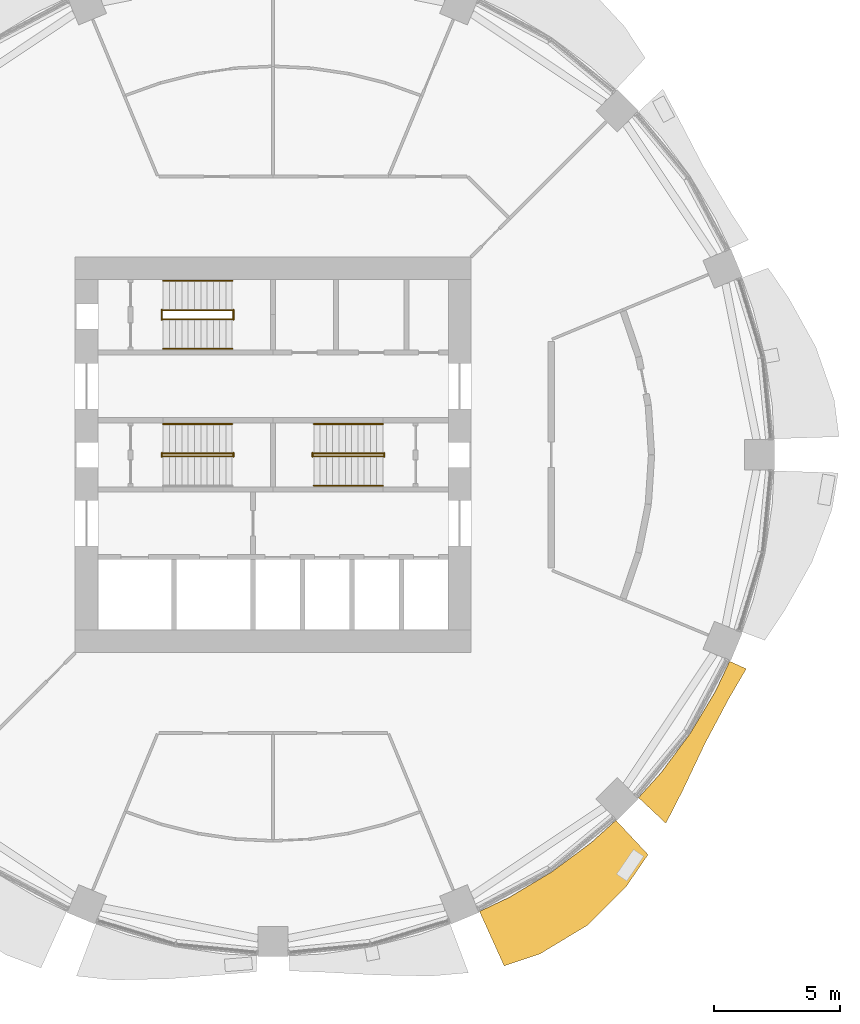
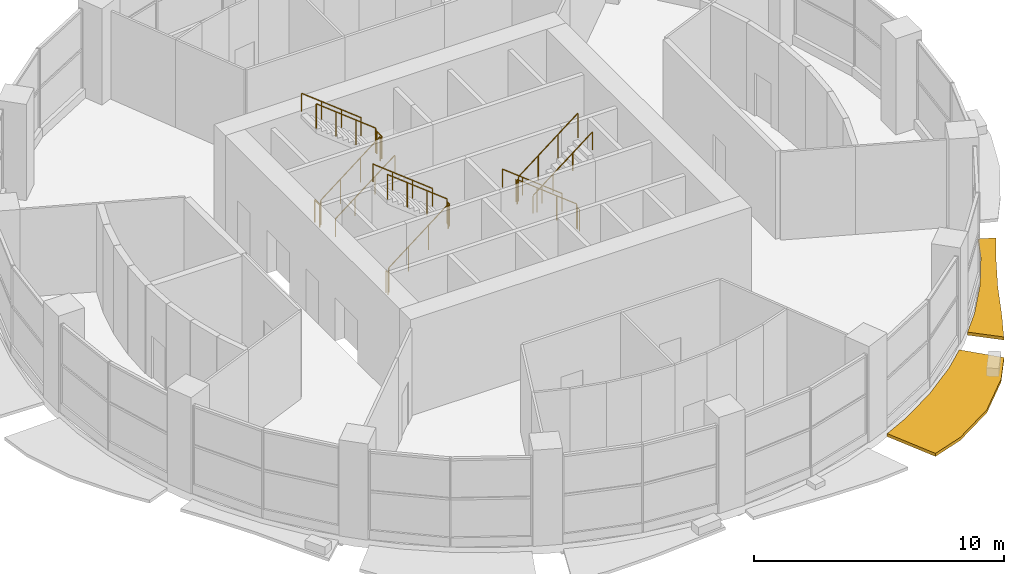
# One storey, part 12 of 14: 17 railings, 2 shading devices.
"""IFC4 building model written with IfcOpenShell, lengths in metres."""

from ifc_helpers import new_model, si_unit, direction, frame, origin, origin_2d, place, context, subcontext, project, spatial, polyline, circle, outline, extrude, material, type_object, element, save


model = new_model("IFC4")

# Units and contexts
model_context = context("Model", 3, precision=1e-05, world=origin(), true_north=direction((0.0, 1.0)))
body_context = subcontext(model_context, "Body", "Model", "MODEL_VIEW")
ifc_project = project(units=[si_unit("LENGTHUNIT", "METRE"), si_unit("AREAUNIT", "SQUARE_METRE"), si_unit("VOLUMEUNIT", "CUBIC_METRE"), si_unit("PLANEANGLEUNIT", "RADIAN"), si_unit("MASSUNIT", "GRAM", prefix="KILO")], contexts=[model_context])

# Site, building, storey
site_placement = place(None, origin())
site = spatial("IfcSite", under=ifc_project, at=site_placement, CompositionType="ELEMENT")
building_placement = place(site_placement, origin())
building = spatial("IfcBuilding", under=site, at=building_placement, Name="Polderwave Tower", CompositionType="ELEMENT")
storey_placement = place(building_placement, frame((0.0, 0.0, 5.199951171875)))
storey = spatial("IfcBuildingStorey", under=building, at=storey_placement, Name="L01", CompositionType="ELEMENT", Elevation=5.199951171875)

# Railings
ifc_material_1 = material(Name="Stainless steel", Category="steel")
railing_type_1 = type_object("IfcRailingType", Name="Stair guard 1100", PredefinedType="GUARDRAIL", material=ifc_material_1)
railing_1_placement = place(storey_placement, frame((-4.3740234375, -0.051025390625, 0.07568359375)))
element("IfcRailing", 1, at=railing_1_placement, inside=storey, type_object=railing_type_1, Name="L01 ST-A stair guard 1", PredefinedType="GUARDRAIL", context=body_context, shape_type="SweptSolid", body=[
    extrude(circle(Radius=0.02392578125, at=origin_2d()), frame((0.0, 0.0, 1.1962890625), z_axis=(0.787209958781, 0.0, 0.616685074244), x_axis=(0.0, 1.0, 0.0)), (0.0, 0.0, 1.0), 3.493408203125),
    extrude(circle(Radius=0.02392578125, at=origin_2d()), origin(), (0.0, 0.0, 1.0), 1.172119140625),
    extrude(circle(Radius=0.02392578125, at=origin_2d()), frame((0.916748046875, 0.0, 0.718017578125)), (0.0, 0.0, 1.0), 1.172119140625),
    extrude(circle(Radius=0.02392578125, at=origin_2d()), frame((1.833251953125, 0.0, 1.436279296875)), (0.0, 0.0, 1.0), 1.172119140625),
    extrude(circle(Radius=0.02392578125, at=origin_2d()), frame((2.75, 0.0, 2.154296875)), (0.0, 0.0, 1.0), 1.172119140625),
])
railing_2_placement = place(storey_placement, frame((-1.573974609375, -0.074951171875, 2.35009765625)))
element("IfcRailing", 2, at=railing_2_placement, inside=storey, type_object=railing_type_1, Name="L01 ST-A stair guard 2", PredefinedType="GUARDRAIL", context=body_context, shape_type="SweptSolid", body=[
    extrude(circle(Radius=0.02392578125, at=origin_2d()), frame((0.0, 0.0, 1.076171875), z_axis=(0.0, 1.0, 0.0), x_axis=(-1.0, 0.0, 0.0)), (0.0, 0.0, 1.0), 0.14990234375),
    extrude(circle(Radius=0.02099609375, at=origin_2d()), origin(), (0.0, 0.0, 1.0), 1.052001953125),
    extrude(circle(Radius=0.02099609375, at=origin_2d()), frame((0.0, 0.14990234375, 0.0)), (0.0, 0.0, 1.0), 1.052001953125),
])
railing_3_placement = place(storey_placement, frame((-1.6240234375, 0.051025390625, 2.42578125)))
element("IfcRailing", 3, at=railing_3_placement, inside=storey, type_object=railing_type_1, Name="L01 ST-A stair guard 3", PredefinedType="GUARDRAIL", context=body_context, shape_type="SweptSolid", body=[
    extrude(circle(Radius=0.02392578125, at=origin_2d()), frame((0.0, 0.0, 1.1962890625), z_axis=(-0.78724388656, 0.0, 0.61664176235), x_axis=(0.0, -1.0, 0.0)), (0.0, 0.0, 1.0), 3.4931640625),
    extrude(circle(Radius=0.02392578125, at=origin_2d()), origin(), (0.0, 0.0, 1.0), 1.172119140625),
    extrude(circle(Radius=0.02392578125, at=origin_2d()), frame((-0.916748046875, 0.0, 0.718017578125)), (0.0, 0.0, 1.0), 1.172119140625),
    extrude(circle(Radius=0.02392578125, at=origin_2d()), frame((-1.833251953125, 0.0, 1.43603515625)), (0.0, 0.0, 1.0), 1.172119140625),
    extrude(circle(Radius=0.02392578125, at=origin_2d()), frame((-2.75, 0.0, 2.154052734375)), (0.0, 0.0, 1.0), 1.172119140625),
])
railing_4_placement = place(storey_placement, frame((-4.424072265625, -0.074951171875, 0.0)))
element("IfcRailing", 4, at=railing_4_placement, inside=storey, type_object=railing_type_1, Name="L01 ST-A stair guard 4", PredefinedType="GUARDRAIL", context=body_context, shape_type="SweptSolid", body=[
    extrude(circle(Radius=0.02392578125, at=origin_2d()), frame((0.0, 0.0, 1.076171875), z_axis=(0.0, 1.0, 0.0), x_axis=(-1.0, 0.0, 0.0)), (0.0, 0.0, 1.0), 0.14990234375),
    extrude(circle(Radius=0.02099609375, at=origin_2d()), origin(), (0.0, 0.0, 1.0), 1.052001953125),
    extrude(circle(Radius=0.02099609375, at=origin_2d()), frame((0.0, 0.14990234375, 0.0)), (0.0, 0.0, 1.0), 1.052001953125),
])
railing_5_placement = place(storey_placement, frame((4.3740234375, 0.051025390625, 0.07568359375)))
element("IfcRailing", 5, at=railing_5_placement, inside=storey, type_object=railing_type_1, Name="L01 ST-B stair guard 1", PredefinedType="GUARDRAIL", context=body_context, shape_type="SweptSolid", body=[
    extrude(circle(Radius=0.02392578125, at=origin_2d()), frame((0.0, 0.0, 1.1962890625), z_axis=(-0.787209958781, 0.0, 0.616685074244), x_axis=(0.0, -1.0, 0.0)), (0.0, 0.0, 1.0), 3.493408203125),
    extrude(circle(Radius=0.02392578125, at=origin_2d()), origin(), (0.0, 0.0, 1.0), 1.172119140625),
    extrude(circle(Radius=0.02392578125, at=origin_2d()), frame((-0.916748046875, 0.0, 0.718017578125)), (0.0, 0.0, 1.0), 1.172119140625),
    extrude(circle(Radius=0.02392578125, at=origin_2d()), frame((-1.833251953125, 0.0, 1.436279296875)), (0.0, 0.0, 1.0), 1.172119140625),
    extrude(circle(Radius=0.02392578125, at=origin_2d()), frame((-2.75, 0.0, 2.154296875)), (0.0, 0.0, 1.0), 1.172119140625),
])
railing_6_placement = place(storey_placement, frame((1.573974609375, 0.074951171875, 2.35009765625)))
element("IfcRailing", 6, at=railing_6_placement, inside=storey, type_object=railing_type_1, Name="L01 ST-B stair guard 2", PredefinedType="GUARDRAIL", context=body_context, shape_type="SweptSolid", body=[
    extrude(circle(Radius=0.02392578125, at=origin_2d()), frame((0.0, 0.0, 1.076171875), z_axis=(0.0, -1.0, 0.0), x_axis=(1.0, 0.0, 0.0)), (0.0, 0.0, 1.0), 0.14990234375),
    extrude(circle(Radius=0.02099609375, at=origin_2d()), origin(), (0.0, 0.0, 1.0), 1.052001953125),
    extrude(circle(Radius=0.02099609375, at=origin_2d()), frame((0.0, -0.14990234375, 0.0)), (0.0, 0.0, 1.0), 1.052001953125),
])
railing_7_placement = place(storey_placement, frame((1.6240234375, -0.051025390625, 2.42578125)))
element("IfcRailing", 7, at=railing_7_placement, inside=storey, type_object=railing_type_1, Name="L01 ST-B stair guard 3", PredefinedType="GUARDRAIL", context=body_context, shape_type="SweptSolid", body=[
    extrude(circle(Radius=0.02392578125, at=origin_2d()), frame((0.0, 0.0, 1.1962890625), z_axis=(0.78724388656, 0.0, 0.61664176235), x_axis=(0.0, 1.0, 0.0)), (0.0, 0.0, 1.0), 3.4931640625),
    extrude(circle(Radius=0.02392578125, at=origin_2d()), origin(), (0.0, 0.0, 1.0), 1.172119140625),
    extrude(circle(Radius=0.02392578125, at=origin_2d()), frame((0.916748046875, 0.0, 0.718017578125)), (0.0, 0.0, 1.0), 1.172119140625),
    extrude(circle(Radius=0.02392578125, at=origin_2d()), frame((1.833251953125, 0.0, 1.43603515625)), (0.0, 0.0, 1.0), 1.172119140625),
    extrude(circle(Radius=0.02392578125, at=origin_2d()), frame((2.75, 0.0, 2.154052734375)), (0.0, 0.0, 1.0), 1.172119140625),
])
railing_8_placement = place(storey_placement, frame((4.424072265625, 0.074951171875, 0.0)))
element("IfcRailing", 8, at=railing_8_placement, inside=storey, type_object=railing_type_1, Name="L01 ST-B stair guard 4", PredefinedType="GUARDRAIL", context=body_context, shape_type="SweptSolid", body=[
    extrude(circle(Radius=0.02392578125, at=origin_2d()), frame((0.0, 0.0, 1.076171875), z_axis=(0.0, -1.0, 0.0), x_axis=(1.0, 0.0, 0.0)), (0.0, 0.0, 1.0), 0.14990234375),
    extrude(circle(Radius=0.02099609375, at=origin_2d()), origin(), (0.0, 0.0, 1.0), 1.052001953125),
    extrude(circle(Radius=0.02099609375, at=origin_2d()), frame((0.0, -0.14990234375, 0.0)), (0.0, 0.0, 1.0), 1.052001953125),
])
railing_9_placement = place(storey_placement, frame((-4.3740234375, 5.39794921875, 0.07568359375)))
element("IfcRailing", 9, at=railing_9_placement, inside=storey, type_object=railing_type_1, Name="L01 ST-C stair guard 1", PredefinedType="GUARDRAIL", context=body_context, shape_type="SweptSolid", body=[
    extrude(circle(Radius=0.02392578125, at=origin_2d()), frame((0.0, 0.0, 1.1962890625), z_axis=(0.787209958781, 0.0, 0.616685074244), x_axis=(0.0, 1.0, 0.0)), (0.0, 0.0, 1.0), 3.493408203125),
    extrude(circle(Radius=0.02392578125, at=origin_2d()), origin(), (0.0, 0.0, 1.0), 1.172119140625),
    extrude(circle(Radius=0.02392578125, at=origin_2d()), frame((0.916748046875, 0.0, 0.718017578125)), (0.0, 0.0, 1.0), 1.172119140625),
    extrude(circle(Radius=0.02392578125, at=origin_2d()), frame((1.833251953125, 0.0, 1.436279296875)), (0.0, 0.0, 1.0), 1.172119140625),
    extrude(circle(Radius=0.02392578125, at=origin_2d()), frame((2.75, 0.0, 2.154296875)), (0.0, 0.0, 1.0), 1.172119140625),
])
railing_10_placement = place(storey_placement, frame((-1.573974609375, 5.3740234375, 2.35009765625)))
element("IfcRailing", 10, at=railing_10_placement, inside=storey, type_object=railing_type_1, Name="L01 ST-C stair guard 2", PredefinedType="GUARDRAIL", context=body_context, shape_type="SweptSolid", body=[
    extrude(circle(Radius=0.02392578125, at=origin_2d()), frame((0.0, 0.0, 1.076171875), z_axis=(0.0, 1.0, 0.0), x_axis=(-1.0, 0.0, 0.0)), (0.0, 0.0, 1.0), 0.39990234375),
    extrude(circle(Radius=0.02099609375, at=origin_2d()), origin(), (0.0, 0.0, 1.0), 1.052001953125),
    extrude(circle(Radius=0.02099609375, at=origin_2d()), frame((0.0, 0.39990234375, 0.0)), (0.0, 0.0, 1.0), 1.052001953125),
])
railing_11_placement = place(storey_placement, frame((-1.6240234375, 5.75, 2.42578125)))
element("IfcRailing", 11, at=railing_11_placement, inside=storey, type_object=railing_type_1, Name="L01 ST-C stair guard 3", PredefinedType="GUARDRAIL", context=body_context, shape_type="SweptSolid", body=[
    extrude(circle(Radius=0.02392578125, at=origin_2d()), frame((0.0, 0.0, 1.1962890625), z_axis=(-0.78724388656, 0.0, 0.61664176235), x_axis=(0.0, -1.0, 0.0)), (0.0, 0.0, 1.0), 3.4931640625),
    extrude(circle(Radius=0.02392578125, at=origin_2d()), origin(), (0.0, 0.0, 1.0), 1.172119140625),
    extrude(circle(Radius=0.02392578125, at=origin_2d()), frame((-0.916748046875, 0.0, 0.718017578125)), (0.0, 0.0, 1.0), 1.172119140625),
    extrude(circle(Radius=0.02392578125, at=origin_2d()), frame((-1.833251953125, 0.0, 1.43603515625)), (0.0, 0.0, 1.0), 1.172119140625),
    extrude(circle(Radius=0.02392578125, at=origin_2d()), frame((-2.75, 0.0, 2.154052734375)), (0.0, 0.0, 1.0), 1.172119140625),
])
railing_12_placement = place(storey_placement, frame((-4.424072265625, 5.3740234375, 0.0)))
element("IfcRailing", 12, at=railing_12_placement, inside=storey, type_object=railing_type_1, Name="L01 ST-C stair guard 4", PredefinedType="GUARDRAIL", context=body_context, shape_type="SweptSolid", body=[
    extrude(circle(Radius=0.02392578125, at=origin_2d()), frame((0.0, 0.0, 1.076171875), z_axis=(0.0, 1.0, 0.0), x_axis=(-1.0, 0.0, 0.0)), (0.0, 0.0, 1.0), 0.39990234375),
    extrude(circle(Radius=0.02099609375, at=origin_2d()), origin(), (0.0, 0.0, 1.0), 1.052001953125),
    extrude(circle(Radius=0.02099609375, at=origin_2d()), frame((0.0, 0.39990234375, 0.0)), (0.0, 0.0, 1.0), 1.052001953125),
])
railing_type_2 = type_object("IfcRailingType", Name="Stair handrail 900", PredefinedType="HANDRAIL", material=ifc_material_1)
railing_13_placement = place(storey_placement, frame((-1.6240234375, 1.22509765625, 2.5458984375)))
element("IfcRailing", 13, at=railing_13_placement, inside=storey, type_object=railing_type_2, Name="L01 ST-A stair handrail 2", PredefinedType="HANDRAIL", context=body_context, shape_type="SweptSolid", body=[
    extrude(circle(Radius=0.02392578125, at=origin_2d()), frame((0.0, 0.0, 0.8759765625), z_axis=(-0.78724388656, 0.0, 0.61664176235), x_axis=(0.0, -1.0, 0.0)), (0.0, 0.0, 1.0), 3.4931640625),
    extrude(circle(Radius=0.02099609375, at=origin_2d()), origin(), (0.0, 0.0, 1.0), 0.851806640625),
    extrude(circle(Radius=0.02099609375, at=origin_2d()), frame((-0.916748046875, 0.0, 0.718017578125)), (0.0, 0.0, 1.0), 0.851806640625),
    extrude(circle(Radius=0.02099609375, at=origin_2d()), frame((-1.833251953125, 0.0, 1.43603515625)), (0.0, 0.0, 1.0), 0.851806640625),
    extrude(circle(Radius=0.02099609375, at=origin_2d()), frame((-2.75, 0.0, 2.154052734375)), (0.0, 0.0, 1.0), 0.851806640625),
])
railing_14_placement = place(storey_placement, frame((4.3740234375, 1.22509765625, 0.19580078125)))
element("IfcRailing", 14, at=railing_14_placement, inside=storey, type_object=railing_type_2, Name="L01 ST-B stair handrail 1", PredefinedType="HANDRAIL", context=body_context, shape_type="SweptSolid", body=[
    extrude(circle(Radius=0.02392578125, at=origin_2d()), frame((0.0, 0.0, 0.8759765625), z_axis=(-0.787209958781, 0.0, 0.616685074244), x_axis=(0.0, -1.0, 0.0)), (0.0, 0.0, 1.0), 3.493408203125),
    extrude(circle(Radius=0.02099609375, at=origin_2d()), origin(), (0.0, 0.0, 1.0), 0.851806640625),
    extrude(circle(Radius=0.02099609375, at=origin_2d()), frame((-0.916748046875, 0.0, 0.718017578125)), (0.0, 0.0, 1.0), 0.851806640625),
    extrude(circle(Radius=0.02099609375, at=origin_2d()), frame((-1.833251953125, 0.0, 1.436279296875)), (0.0, 0.0, 1.0), 0.851806640625),
    extrude(circle(Radius=0.02099609375, at=origin_2d()), frame((-2.75, 0.0, 2.154296875)), (0.0, 0.0, 1.0), 0.851806640625),
])
railing_15_placement = place(storey_placement, frame((1.6240234375, -1.22509765625, 2.5458984375)))
element("IfcRailing", 15, at=railing_15_placement, inside=storey, type_object=railing_type_2, Name="L01 ST-B stair handrail 2", PredefinedType="HANDRAIL", context=body_context, shape_type="SweptSolid", body=[
    extrude(circle(Radius=0.02392578125, at=origin_2d()), frame((0.0, 0.0, 0.8759765625), z_axis=(0.78724388656, 0.0, 0.61664176235), x_axis=(0.0, 1.0, 0.0)), (0.0, 0.0, 1.0), 3.4931640625),
    extrude(circle(Radius=0.02099609375, at=origin_2d()), origin(), (0.0, 0.0, 1.0), 0.851806640625),
    extrude(circle(Radius=0.02099609375, at=origin_2d()), frame((0.916748046875, 0.0, 0.718017578125)), (0.0, 0.0, 1.0), 0.851806640625),
    extrude(circle(Radius=0.02099609375, at=origin_2d()), frame((1.833251953125, 0.0, 1.43603515625)), (0.0, 0.0, 1.0), 0.851806640625),
    extrude(circle(Radius=0.02099609375, at=origin_2d()), frame((2.75, 0.0, 2.154052734375)), (0.0, 0.0, 1.0), 0.851806640625),
])
railing_16_placement = place(storey_placement, frame((-4.3740234375, 4.22412109375, 0.19580078125)))
element("IfcRailing", 16, at=railing_16_placement, inside=storey, type_object=railing_type_2, Name="L01 ST-C stair handrail 1", PredefinedType="HANDRAIL", context=body_context, shape_type="SweptSolid", body=[
    extrude(circle(Radius=0.02392578125, at=origin_2d()), frame((0.0, 0.0, 0.8759765625), z_axis=(0.787209958781, 0.0, 0.616685074244), x_axis=(0.0, 1.0, 0.0)), (0.0, 0.0, 1.0), 3.493408203125),
    extrude(circle(Radius=0.02099609375, at=origin_2d()), origin(), (0.0, 0.0, 1.0), 0.851806640625),
    extrude(circle(Radius=0.02099609375, at=origin_2d()), frame((0.916748046875, 0.0, 0.718017578125)), (0.0, 0.0, 1.0), 0.851806640625),
    extrude(circle(Radius=0.02099609375, at=origin_2d()), frame((1.833251953125, 0.0, 1.436279296875)), (0.0, 0.0, 1.0), 0.851806640625),
    extrude(circle(Radius=0.02099609375, at=origin_2d()), frame((2.75, 0.0, 2.154296875)), (0.0, 0.0, 1.0), 0.851806640625),
])
railing_17_placement = place(storey_placement, frame((-1.6240234375, 6.924072265625, 2.5458984375)))
element("IfcRailing", 17, at=railing_17_placement, inside=storey, type_object=railing_type_2, Name="L01 ST-C stair handrail 2", PredefinedType="HANDRAIL", context=body_context, shape_type="SweptSolid", body=[
    extrude(circle(Radius=0.02392578125, at=origin_2d()), frame((0.0, 0.0, 0.8759765625), z_axis=(-0.78724388656, 0.0, 0.61664176235), x_axis=(0.0, -1.0, 0.0)), (0.0, 0.0, 1.0), 3.4931640625),
    extrude(circle(Radius=0.02099609375, at=origin_2d()), origin(), (0.0, 0.0, 1.0), 0.851806640625),
    extrude(circle(Radius=0.02099609375, at=origin_2d()), frame((-0.916748046875, 0.0, 0.718017578125)), (0.0, 0.0, 1.0), 0.851806640625),
    extrude(circle(Radius=0.02099609375, at=origin_2d()), frame((-1.833251953125, 0.0, 1.43603515625)), (0.0, 0.0, 1.0), 0.851806640625),
    extrude(circle(Radius=0.02099609375, at=origin_2d()), frame((-2.75, 0.0, 2.154052734375)), (0.0, 0.0, 1.0), 0.851806640625),
])

# Shading devices
ifc_material_2 = material(Name="Terracotta", Category="masonry")
shading_device_type = type_object("IfcShadingDeviceType", Name="Terracotta sunshade band", PredefinedType="USERDEFINED", material=ifc_material_2)
shading_device_1_placement = place(storey_placement, frame((0.0, 0.0, -0.39990234375)))
element("IfcShadingDevice", 18, at=shading_device_1_placement, inside=storey, type_object=shading_device_type, Name="Sunshade band L01 14", ObjectType="SUNSHADE", PredefinedType="USERDEFINED", context=body_context, shape_type="SweptSolid", body=[
    extrude(outline(polyline([(8.215087890625, -18.167724609375), (9.4091796875, -17.60302734375), (11.089111328125, -16.59619140625), (12.66259765625, -15.42919921875), (13.64111328125, -14.54248046875), (14.921875, -15.90771484375), (14.072998046875, -17.147705078125), (12.50732421875, -18.718505859375), (10.6162109375, -19.86181640625), (9.195556640625, -20.335693359375), (8.215087890625, -18.167724609375)])), origin(), (0.0, 0.0, 1.0), 0.14990234375),
])
shading_device_2_placement = place(storey_placement, frame((0.0, 0.0, -0.39990234375)))
element("IfcShadingDevice", 19, at=shading_device_2_placement, inside=storey, type_object=shading_device_type, Name="Sunshade band L01 15", ObjectType="SUNSHADE", PredefinedType="USERDEFINED", context=body_context, shape_type="SweptSolid", body=[
    extrude(outline(polyline([(14.54248046875, -13.64111328125), (15.42919921875, -12.66259765625), (16.59619140625, -11.089111328125), (17.60302734375, -9.4091796875), (18.167724609375, -8.215087890625), (18.830322265625, -8.514892578125), (18.137939453125, -9.69482421875), (17.1875, -11.484375), (16.2919921875, -13.370361328125), (15.630615234375, -14.661865234375), (14.54248046875, -13.64111328125)])), origin(), (0.0, 0.0, 1.0), 0.14990234375),
])

save(model, "model.ifc")
